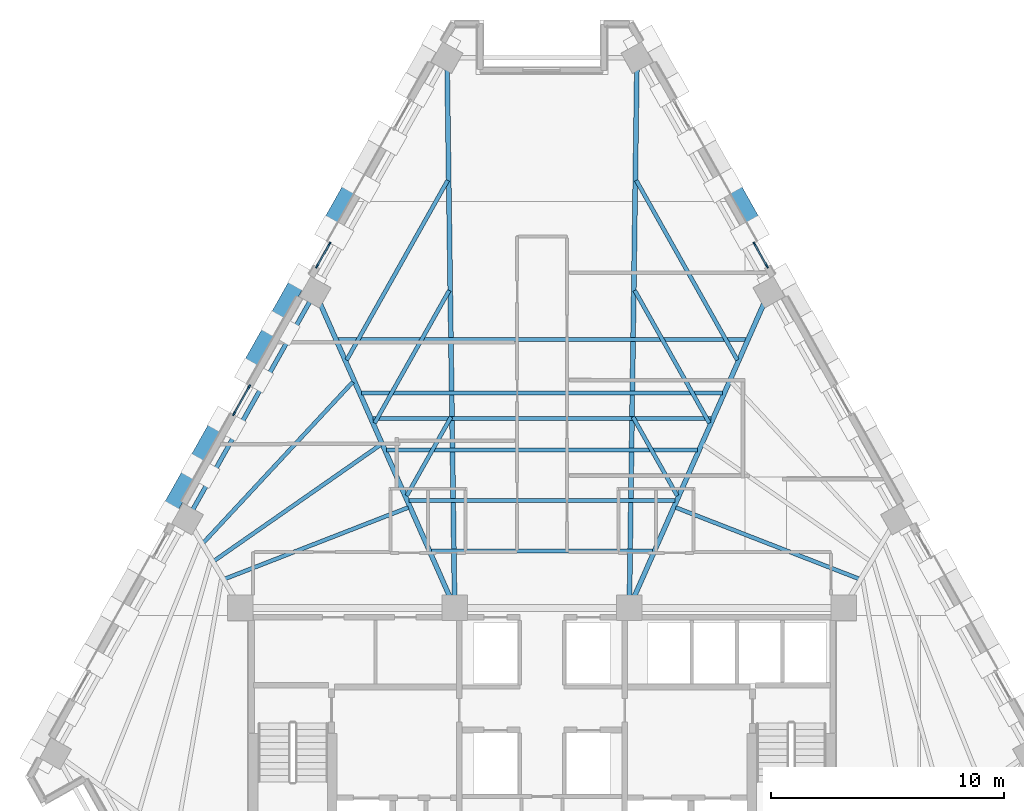
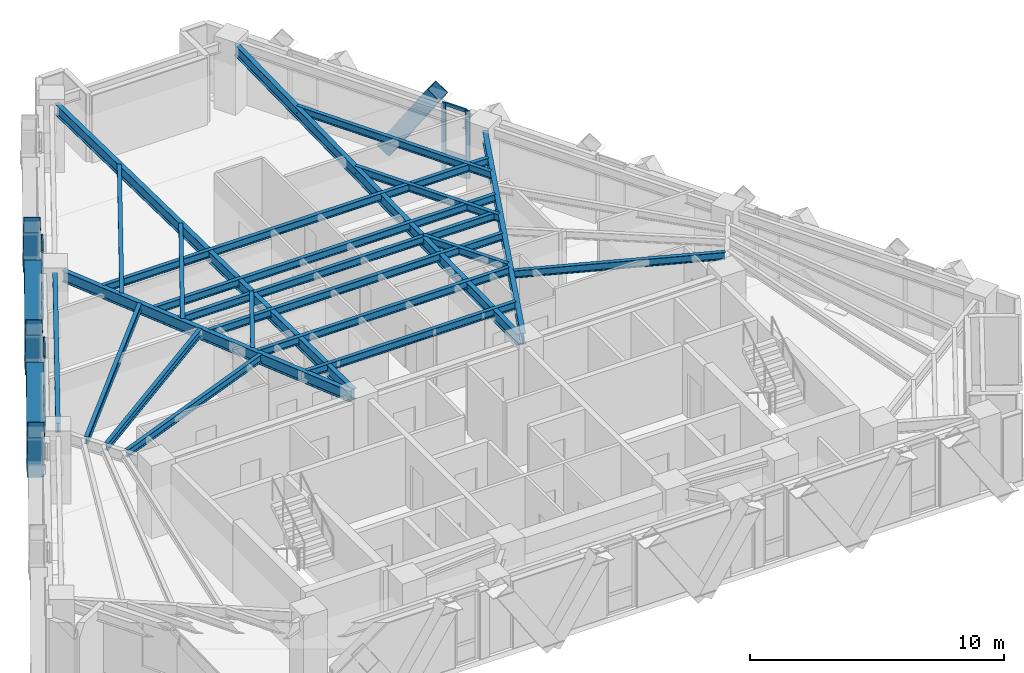
# One storey, part 3 of 14: 21 beams, 21 members, 3 elements without a shape of their own.
"""IFC4 building model written with IfcOpenShell, lengths in metres."""

from ifc_helpers import new_model, si_unit, direction, frame, origin, origin_2d, place, context, subcontext, project, spatial, rectangle, hollow_rectangle, i_section, extrude, material, material_profile, profile_set, type_object, element, aggregate, save


model = new_model("IFC4")

# Units and contexts
model_context = context("Model", 3, precision=1e-05, world=origin(), true_north=direction((0.0, 1.0)))
body_context = subcontext(model_context, "Body", "Model", "MODEL_VIEW")
ifc_project = project(units=[si_unit("LENGTHUNIT", "METRE"), si_unit("AREAUNIT", "SQUARE_METRE"), si_unit("VOLUMEUNIT", "CUBIC_METRE"), si_unit("PLANEANGLEUNIT", "RADIAN"), si_unit("MASSUNIT", "GRAM", prefix="KILO")], contexts=[model_context])

# Site, building, storey
site_placement = place(None, origin())
site = spatial("IfcSite", under=ifc_project, at=site_placement, CompositionType="ELEMENT")
building_placement = place(site_placement, origin())
building = spatial("IfcBuilding", under=site, at=building_placement, Name="Quenlor Broadcast Tower", CompositionType="ELEMENT")
storey_placement = place(building_placement, frame((0.0, 0.0, 140.5)))
storey = spatial("IfcBuildingStorey", under=building, at=storey_placement, Name="L38", CompositionType="ELEMENT", Elevation=140.5)

# Curtain wall, members
ifc_material_1 = material(Name="Architectural Terracotta and Low-E Glazing", Category="masonry")
curtain_wall_type = type_object("IfcCurtainWallType", Name="Unitised Terracotta Curtain Wall System Z3", PredefinedType="NOTDEFINED", material=ifc_material_1)
curtain_wall_1_placement = place(storey_placement, origin())
curtain_wall_1 = element("IfcCurtainWall", 1, at=curtain_wall_1_placement, inside=storey, type_object=curtain_wall_type, Name="L38 Curtain Wall CW3 (L38-NEA-G2)", PredefinedType="NOTDEFINED")
ifc_material_2 = material(Name="Aluminium 6063-T6", Category="aluminium")
ifc_material_profile_1 = material_profile(ifc_material_2, rectangle(XDim=0.070068359375, YDim=0.18994140625, at=origin_2d()))
ifc_profile_set_1 = profile_set([ifc_material_profile_1], Name="Aluminium 6063-T6 MULL70x190")
member_type_1 = type_object("IfcMemberType", Name="CW3 Aluminium Mullion MULL_CW3", PredefinedType="MULLION", material=ifc_profile_set_1)
member_1_placement = place(storey_placement, frame((9.1259765625, 10.8193359375, 0.0), z_axis=(0.0, 0.0, 1.0), x_axis=(0.871601010924, 0.490215950125, 0.0)))
member_1 = element("IfcMember", 2, at=member_1_placement, type_object=member_type_1, Name="CW3 mullion 1", PredefinedType="MULLION", context=body_context, shape_type="SweptSolid", body=[
    extrude(rectangle(XDim=0.070068359375, YDim=0.18994140625, at=origin_2d()), origin(), (0.0, 0.0, 1.0), 3.25),
])
member_2_placement = place(storey_placement, frame((9.656982421875, 9.875244140625, 0.0), z_axis=(0.0, 0.0, 1.0), x_axis=(0.871601010924, 0.490215950125, 0.0)))
member_2 = element("IfcMember", 3, at=member_2_placement, type_object=member_type_1, Name="CW3 mullion 2", PredefinedType="MULLION", context=body_context, shape_type="SweptSolid", body=[
    extrude(rectangle(XDim=0.070068359375, YDim=0.18994140625, at=origin_2d()), origin(), (0.0, 0.0, 1.0), 3.25),
])

curtain_wall_2_placement = place(storey_placement, origin())
curtain_wall_2 = element("IfcCurtainWall", 4, at=curtain_wall_2_placement, inside=storey, type_object=curtain_wall_type, Name="L38 Curtain Wall CW3 (L38-NWC-G1)", PredefinedType="NOTDEFINED")
member_3_placement = place(storey_placement, frame((-9.656982421875, 9.875244140625, 0.0), z_axis=(0.0, 0.0, 1.0), x_axis=(-0.871601010924, 0.490215950125, 0.0)))
member_3 = element("IfcMember", 5, at=member_3_placement, type_object=member_type_1, Name="CW3 mullion 1", PredefinedType="MULLION", context=body_context, shape_type="SweptSolid", body=[
    extrude(rectangle(XDim=0.070068359375, YDim=0.18994140625, at=origin_2d()), origin(), (0.0, 0.0, 1.0), 3.25),
])
member_4_placement = place(storey_placement, frame((-9.1259765625, 10.8193359375, 0.0), z_axis=(0.0, 0.0, 1.0), x_axis=(-0.871601010924, 0.490215950125, 0.0)))
member_4 = element("IfcMember", 6, at=member_4_placement, type_object=member_type_1, Name="CW3 mullion 2", PredefinedType="MULLION", context=body_context, shape_type="SweptSolid", body=[
    extrude(rectangle(XDim=0.070068359375, YDim=0.18994140625, at=origin_2d()), origin(), (0.0, 0.0, 1.0), 3.25),
])

curtain_wall_3_placement = place(storey_placement, origin())
curtain_wall_3 = element("IfcCurtainWall", 7, at=curtain_wall_3_placement, inside=storey, type_object=curtain_wall_type, Name="L38 Curtain Wall CW3 (L38-NW-G1)", PredefinedType="NOTDEFINED")
member_5_placement = place(storey_placement, frame((-13.220947265625, 3.5390625, 0.0), z_axis=(0.0, 0.0, 1.0), x_axis=(-0.871562085714, 0.490285152484, 0.0)))
member_5 = element("IfcMember", 8, at=member_5_placement, type_object=member_type_1, Name="CW3 mullion 1", PredefinedType="MULLION", context=body_context, shape_type="SweptSolid", body=[
    extrude(rectangle(XDim=0.070068359375, YDim=0.18994140625, at=origin_2d()), origin(), (0.0, 0.0, 1.0), 3.25),
])
member_6_placement = place(storey_placement, frame((-12.573974609375, 4.689208984375, 0.0), z_axis=(0.0, 0.0, 1.0), x_axis=(-0.871562085714, 0.490285152484, 0.0)))
member_6 = element("IfcMember", 9, at=member_6_placement, type_object=member_type_1, Name="CW3 mullion 2", PredefinedType="MULLION", context=body_context, shape_type="SweptSolid", body=[
    extrude(rectangle(XDim=0.070068359375, YDim=0.18994140625, at=origin_2d()), origin(), (0.0, 0.0, 1.0), 3.25),
])

# Member
ifc_material_3 = material(Name="Aluminium 6063-T6", Category="aluminium")
ifc_material_profile_2 = material_profile(ifc_material_3, rectangle(XDim=0.070068359375, YDim=0.155029296875, at=origin_2d()))
ifc_profile_set_2 = profile_set([ifc_material_profile_2], Name="Aluminium 6063-T6 TRAN70x155")
member_type_2 = type_object("IfcMemberType", Name="CW3 Aluminium Transom TRAN_CW3", PredefinedType="USERDEFINED", material=ifc_profile_set_2)
member_7_placement = place(storey_placement, frame((9.14306640625, 10.788818359375, 0.034912109375), z_axis=(0.490341317219, -0.871530488639, 0.0), x_axis=(0.871530488639, 0.490341317219, 0.0)))
member_7 = element("IfcMember", 10, at=member_7_placement, type_object=member_type_2, Name="CW3 transom 1.1", ObjectType="TRANSOM", PredefinedType="USERDEFINED", context=body_context, shape_type="SweptSolid", body=[
    extrude(rectangle(XDim=0.070068359375, YDim=0.155029296875, at=origin_2d()), origin(), (0.0, 0.0, 1.0), 1.01318359375),
])

member_8_placement = place(storey_placement, frame((9.14306640625, 10.788818359375, 0.949951171875), z_axis=(0.490341317219, -0.871530488639, 0.0), x_axis=(0.871530488639, 0.490341317219, 0.0)))
member_8 = element("IfcMember", 11, at=member_8_placement, type_object=member_type_2, Name="CW3 transom 1.2", ObjectType="TRANSOM", PredefinedType="USERDEFINED", context=body_context, shape_type="SweptSolid", body=[
    extrude(rectangle(XDim=0.070068359375, YDim=0.155029296875, at=origin_2d()), origin(), (0.0, 0.0, 1.0), 1.01318359375),
])

member_9_placement = place(storey_placement, frame((9.14306640625, 10.788818359375, 3.215087890625), z_axis=(0.490341317219, -0.871530488639, 0.0), x_axis=(0.871530488639, 0.490341317219, 0.0)))
member_9 = element("IfcMember", 12, at=member_9_placement, type_object=member_type_2, Name="CW3 transom 1.3", ObjectType="TRANSOM", PredefinedType="USERDEFINED", context=body_context, shape_type="SweptSolid", body=[
    extrude(rectangle(XDim=0.070068359375, YDim=0.155029296875, at=origin_2d()), origin(), (0.0, 0.0, 1.0), 1.01318359375),
])

aggregate(curtain_wall_1, [member_1, member_2, member_7, member_8, member_9])

member_10_placement = place(storey_placement, frame((-9.639892578125, 9.90576171875, 0.034912109375), z_axis=(0.490341317219, 0.871530488639, 0.0), x_axis=(-0.871530488639, 0.490341317219, 0.0)))
member_10 = element("IfcMember", 13, at=member_10_placement, type_object=member_type_2, Name="CW3 transom 1.1", ObjectType="TRANSOM", PredefinedType="USERDEFINED", context=body_context, shape_type="SweptSolid", body=[
    extrude(rectangle(XDim=0.070068359375, YDim=0.155029296875, at=origin_2d()), origin(), (0.0, 0.0, 1.0), 1.01318359375),
])

member_11_placement = place(storey_placement, frame((-9.639892578125, 9.90576171875, 0.949951171875), z_axis=(0.490341317219, 0.871530488639, 0.0), x_axis=(-0.871530488639, 0.490341317219, 0.0)))
member_11 = element("IfcMember", 14, at=member_11_placement, type_object=member_type_2, Name="CW3 transom 1.2", ObjectType="TRANSOM", PredefinedType="USERDEFINED", context=body_context, shape_type="SweptSolid", body=[
    extrude(rectangle(XDim=0.070068359375, YDim=0.155029296875, at=origin_2d()), origin(), (0.0, 0.0, 1.0), 1.01318359375),
])

member_12_placement = place(storey_placement, frame((-9.639892578125, 9.90576171875, 3.215087890625), z_axis=(0.490341317219, 0.871530488639, 0.0), x_axis=(-0.871530488639, 0.490341317219, 0.0)))
member_12 = element("IfcMember", 15, at=member_12_placement, type_object=member_type_2, Name="CW3 transom 1.3", ObjectType="TRANSOM", PredefinedType="USERDEFINED", context=body_context, shape_type="SweptSolid", body=[
    extrude(rectangle(XDim=0.070068359375, YDim=0.155029296875, at=origin_2d()), origin(), (0.0, 0.0, 1.0), 1.01318359375),
])

aggregate(curtain_wall_2, [member_3, member_4, member_10, member_11, member_12])

member_13_placement = place(storey_placement, frame((-13.203857421875, 3.569580078125, 0.034912109375), z_axis=(0.490363266059, 0.871518139398, 0.0), x_axis=(-0.871518139398, 0.490363266059, 0.0)))
member_13 = element("IfcMember", 16, at=member_13_placement, type_object=member_type_2, Name="CW3 transom 1.1", ObjectType="TRANSOM", PredefinedType="USERDEFINED", context=body_context, shape_type="SweptSolid", body=[
    extrude(rectangle(XDim=0.070068359375, YDim=0.155029296875, at=origin_2d()), origin(), (0.0, 0.0, 1.0), 1.249755859375),
])

member_14_placement = place(storey_placement, frame((-13.203857421875, 3.569580078125, 0.949951171875), z_axis=(0.490363266059, 0.871518139398, 0.0), x_axis=(-0.871518139398, 0.490363266059, 0.0)))
member_14 = element("IfcMember", 17, at=member_14_placement, type_object=member_type_2, Name="CW3 transom 1.2", ObjectType="TRANSOM", PredefinedType="USERDEFINED", context=body_context, shape_type="SweptSolid", body=[
    extrude(rectangle(XDim=0.070068359375, YDim=0.155029296875, at=origin_2d()), origin(), (0.0, 0.0, 1.0), 1.249755859375),
])

member_15_placement = place(storey_placement, frame((-13.203857421875, 3.569580078125, 3.215087890625), z_axis=(0.490363266059, 0.871518139398, 0.0), x_axis=(-0.871518139398, 0.490363266059, 0.0)))
member_15 = element("IfcMember", 18, at=member_15_placement, type_object=member_type_2, Name="CW3 transom 1.3", ObjectType="TRANSOM", PredefinedType="USERDEFINED", context=body_context, shape_type="SweptSolid", body=[
    extrude(rectangle(XDim=0.070068359375, YDim=0.155029296875, at=origin_2d()), origin(), (0.0, 0.0, 1.0), 1.249755859375),
])

aggregate(curtain_wall_3, [member_5, member_6, member_13, member_14, member_15])

# Members
ifc_material_4 = material(Name="Steel S355", Category="steel")
ifc_material_profile_3 = material_profile(ifc_material_4, hollow_rectangle(XDim=0.679931640625, YDim=0.679931640625, WallThickness=0.02490234375, at=origin_2d()))
ifc_profile_set_3 = profile_set([ifc_material_profile_3], Name="Steel S355 RHS680x680x25")
member_type_3 = type_object("IfcMemberType", Name="Perimeter Diagonal Lattice Brace Z3-Z4 Steel S355 RHS680x25", PredefinedType="BRACE", material=ifc_profile_set_3)
for number, where, z_axis, x_axis, name in (
    (19, (8.076416015625, 13.490478515625, -0.1201171875), (0.27060310517, -0.481001091283, 0.833913610428), (0.871544572467, 0.490316283845, 0.0), "L38 Perimeter Diamond Lattice NE-C2S"),
    (20, (-14.97265625, 1.230712890625, -0.1201171875), (-0.27060310517, -0.481001091283, 0.833913610428), (0.871544572467, -0.490316283845, 0.0), "L38 Perimeter Diamond Lattice NW-C2B"),
    (21, (-14.958984375, 1.255126953125, -0.1201171875), (0.2705491942, 0.481008661973, 0.833926735766), (-0.871589611547, 0.490236217596, 0.0), "L38 Perimeter Diamond Lattice NW-C3S"),
    (22, (-11.524658203125, 7.360595703125, -0.1201171875), (-0.2705491942, -0.481008661973, 0.833926735766), (0.871589611547, -0.490236217596, 0.0), "L38 Perimeter Diamond Lattice NW-C3B"),
    (23, (-11.5107421875, 7.385009765625, -0.1201171875), (0.2705491942, 0.481008661973, 0.833926735766), (-0.871589611547, 0.490236217596, 0.0), "L38 Perimeter Diamond Lattice NW-C4S"),
    (24, (-8.076416015625, 13.490478515625, -0.1201171875), (-0.27060310517, -0.481001091283, 0.833913610428), (0.871544572467, -0.490316283845, 0.0), "L38 Perimeter Diamond Lattice NW-C4B"),
):
    element("IfcMember", number, at=place(storey_placement, frame(where, z_axis=z_axis, x_axis=x_axis)), inside=storey, type_object=member_type_3, Name=name, PredefinedType="BRACE", context=body_context, shape_type="SweptSolid", body=[
        extrude(hollow_rectangle(XDim=0.679931640625, YDim=0.679931640625, WallThickness=0.02490234375, at=origin_2d()), origin(), (0.0, 0.0, 1.0), 4.197021484375),
    ])

# Beams
ifc_material_5 = material(Name="Steel S355", Category="steel")
ifc_material_profile_4 = material_profile(ifc_material_5, i_section(OverallWidth=0.19091796875, OverallDepth=0.46044921875, WebThickness=0.010009765625, FlangeThickness=0.01611328125, FilletRadius=0.011474609375, at=origin_2d()))
ifc_profile_set_4 = profile_set([ifc_material_profile_4], Name="Steel S355 460UB82.1")
beam_type_1 = type_object("IfcBeamType", Name="Perimeter Spandrel Beam Z3 Steel S355 460UB82.1", PredefinedType="SPANDREL", material=ifc_profile_set_4)
beam_1_placement = place(storey_placement, frame((-9.944091796875, 8.39599609375, 3.019775390625), z_axis=(-0.490252288562, -0.871580572041, 0.0), x_axis=(0.871580572041, -0.490252288562, 0.0)))
element("IfcBeam", 25, at=beam_1_placement, inside=storey, type_object=beam_type_1, Name="L38 Spandrel Beam NW2-NW3", PredefinedType="SPANDREL", context=body_context, shape_type="SweptSolid", body=[
    extrude(i_section(OverallWidth=0.19091796875, OverallDepth=0.46044921875, WebThickness=0.010009765625, FlangeThickness=0.01611328125, FilletRadius=0.011474609375, at=origin_2d()), origin(), (0.0, 0.0, 1.0), 10.359619140625),
])
ifc_material_6 = material(Name="Steel S355", Category="steel")
ifc_material_profile_5 = material_profile(ifc_material_6, i_section(OverallWidth=0.172119140625, OverallDepth=0.358642578125, WebThickness=0.008056640625, FlangeThickness=0.012939453125, FilletRadius=0.011474609375, at=origin_2d()))
ifc_profile_set_5 = profile_set([ifc_material_profile_5], Name="Steel S355 360UB56.7")
beam_type_2 = type_object("IfcBeamType", Name="Tower Composite Joist Z2-Z3 Steel S355 360UB56.7", PredefinedType="JOIST", material=ifc_profile_set_5)
beam_2_placement = place(storey_placement, frame((-4.748779296875, -2.3603515625, 3.07080078125), z_axis=(1.0, 0.0, 0.0), x_axis=(0.0, 1.0, 0.0)))
element("IfcBeam", 26, at=beam_2_placement, inside=storey, type_object=beam_type_2, Name="L38 Secondary Composite Joist 1", PredefinedType="JOIST", context=body_context, shape_type="SweptSolid", body=[
    extrude(i_section(OverallWidth=0.172119140625, OverallDepth=0.358642578125, WebThickness=0.008056640625, FlangeThickness=0.012939453125, FilletRadius=0.011474609375, at=origin_2d()), origin(), (0.0, 0.0, 1.0), 9.49755859375),
])
beam_3_placement = place(storey_placement, frame((-7.265869140625, 3.33203125, 3.07080078125), z_axis=(1.0, 0.0, 0.0), x_axis=(0.0, 1.0, 0.0)))
element("IfcBeam", 27, at=beam_3_placement, inside=storey, type_object=beam_type_2, Name="L38 Secondary Composite Joist 2", PredefinedType="JOIST", context=body_context, shape_type="SweptSolid", body=[
    extrude(i_section(OverallWidth=0.172119140625, OverallDepth=0.358642578125, WebThickness=0.008056640625, FlangeThickness=0.012939453125, FilletRadius=0.011474609375, at=origin_2d()), origin(), (0.0, 0.0, 1.0), 14.53173828125),
])
beam_4_placement = place(storey_placement, frame((-5.70751953125, -0.19189453125, 3.07080078125), z_axis=(1.0, 0.0, 0.0), x_axis=(0.0, 1.0, 0.0)))
element("IfcBeam", 28, at=beam_4_placement, inside=storey, type_object=beam_type_2, Name="L38 Secondary Composite Joist 3", PredefinedType="JOIST", context=body_context, shape_type="SweptSolid", body=[
    extrude(i_section(OverallWidth=0.172119140625, OverallDepth=0.358642578125, WebThickness=0.008056640625, FlangeThickness=0.012939453125, FilletRadius=0.011474609375, at=origin_2d()), origin(), (0.0, 0.0, 1.0), 11.4150390625),
])
beam_5_placement = place(storey_placement, frame((-6.66650390625, 1.976806640625, 3.07080078125), z_axis=(1.0, 0.0, 0.0), x_axis=(0.0, 1.0, 0.0)))
element("IfcBeam", 29, at=beam_5_placement, inside=storey, type_object=beam_type_2, Name="L38 Secondary Composite Joist 4", PredefinedType="JOIST", context=body_context, shape_type="SweptSolid", body=[
    extrude(i_section(OverallWidth=0.172119140625, OverallDepth=0.358642578125, WebThickness=0.008056640625, FlangeThickness=0.012939453125, FilletRadius=0.011474609375, at=origin_2d()), origin(), (0.0, 0.0, 1.0), 13.3330078125),
])
beam_6_placement = place(storey_placement, frame((-7.7451171875, 4.416259765625, 3.07080078125), z_axis=(1.0, 0.0, 0.0), x_axis=(0.0, 1.0, 0.0)))
element("IfcBeam", 30, at=beam_6_placement, inside=storey, type_object=beam_type_2, Name="L38 Secondary Composite Joist 5", PredefinedType="JOIST", context=body_context, shape_type="SweptSolid", body=[
    extrude(i_section(OverallWidth=0.172119140625, OverallDepth=0.358642578125, WebThickness=0.008056640625, FlangeThickness=0.012939453125, FilletRadius=0.011474609375, at=origin_2d()), origin(), (0.0, 0.0, 1.0), 15.490234375),
])
beam_7_placement = place(storey_placement, frame((-8.763916015625, 6.72021484375, 3.07080078125), z_axis=(1.0, 0.0, 0.0), x_axis=(0.0, 1.0, 0.0)))
element("IfcBeam", 31, at=beam_7_placement, inside=storey, type_object=beam_type_2, Name="L38 Secondary Composite Joist 6", PredefinedType="JOIST", context=body_context, shape_type="SweptSolid", body=[
    extrude(i_section(OverallWidth=0.172119140625, OverallDepth=0.358642578125, WebThickness=0.008056640625, FlangeThickness=0.012939453125, FilletRadius=0.011474609375, at=origin_2d()), origin(), (0.0, 0.0, 1.0), 17.52783203125),
])
beam_8_placement = place(storey_placement, frame((-13.60302734375, -3.552001953125, 3.07080078125), z_axis=(0.931881865797, 0.362761889121, 0.0), x_axis=(-0.362761889121, 0.931881865797, 0.0)))
element("IfcBeam", 32, at=beam_8_placement, inside=storey, type_object=beam_type_2, Name="L38 Secondary Composite Joist 7", PredefinedType="JOIST", context=body_context, shape_type="SweptSolid", body=[
    extrude(i_section(OverallWidth=0.172119140625, OverallDepth=0.358642578125, WebThickness=0.008056640625, FlangeThickness=0.012939453125, FilletRadius=0.011474609375, at=origin_2d()), origin(), (0.0, 0.0, 1.0), 8.435546875),
])
beam_9_placement = place(storey_placement, frame((-14.06689453125, -2.7734375, 3.07080078125), z_axis=(0.82026568394, 0.57198269882, 0.0), x_axis=(-0.57198269882, 0.82026568394, 0.0)))
element("IfcBeam", 33, at=beam_9_placement, inside=storey, type_object=beam_type_2, Name="L38 Secondary Composite Joist 8", PredefinedType="JOIST", context=body_context, shape_type="SweptSolid", body=[
    extrude(i_section(OverallWidth=0.172119140625, OverallDepth=0.358642578125, WebThickness=0.008056640625, FlangeThickness=0.012939453125, FilletRadius=0.011474609375, at=origin_2d()), origin(), (0.0, 0.0, 1.0), 8.698486328125),
])
beam_10_placement = place(storey_placement, frame((-14.53271484375, -1.998779296875, 3.07080078125), z_axis=(0.680873505991, 0.732401030065, 0.0), x_axis=(-0.732401030065, 0.680873505991, 0.0)))
element("IfcBeam", 34, at=beam_10_placement, inside=storey, type_object=beam_type_2, Name="L38 Secondary Composite Joist 9", PredefinedType="JOIST", context=body_context, shape_type="SweptSolid", body=[
    extrude(i_section(OverallWidth=0.172119140625, OverallDepth=0.358642578125, WebThickness=0.008056640625, FlangeThickness=0.012939453125, FilletRadius=0.011474609375, at=origin_2d()), origin(), (0.0, 0.0, 1.0), 9.419189453125),
])
beam_11_placement = place(storey_placement, frame((13.60302734375, -3.552001953125, 3.07080078125), z_axis=(-0.931881865797, 0.362761889121, 0.0), x_axis=(-0.362761889121, -0.931881865797, 0.0)))
element("IfcBeam", 35, at=beam_11_placement, inside=storey, type_object=beam_type_2, Name="L38 Secondary Composite Joist 10", PredefinedType="JOIST", context=body_context, shape_type="SweptSolid", body=[
    extrude(i_section(OverallWidth=0.172119140625, OverallDepth=0.358642578125, WebThickness=0.008056640625, FlangeThickness=0.012939453125, FilletRadius=0.011474609375, at=origin_2d()), origin(), (0.0, 0.0, 1.0), 8.435546875),
])
beam_12_placement = place(storey_placement, frame((-3.904541015625, 3.39794921875, 3.07080078125), z_axis=(-0.49026422458, -0.871573858085, 0.0), x_axis=(0.871573858085, -0.49026422458, 0.0)))
element("IfcBeam", 36, at=beam_12_placement, inside=storey, type_object=beam_type_2, Name="L38 Secondary Composite Joist 25", PredefinedType="JOIST", context=body_context, shape_type="SweptSolid", body=[
    extrude(i_section(OverallWidth=0.172119140625, OverallDepth=0.358642578125, WebThickness=0.008056640625, FlangeThickness=0.012939453125, FilletRadius=0.011474609375, at=origin_2d()), origin(), (0.0, 0.0, 1.0), 3.88330078125),
])
beam_13_placement = place(storey_placement, frame((-3.980224609375, 8.8310546875, 3.07080078125), z_axis=(-0.490266556378, -0.871572546434, 0.0), x_axis=(0.871572546434, -0.490266556378, 0.0)))
element("IfcBeam", 37, at=beam_13_placement, inside=storey, type_object=beam_type_2, Name="L38 Secondary Composite Joist 26", PredefinedType="JOIST", context=body_context, shape_type="SweptSolid", body=[
    extrude(i_section(OverallWidth=0.172119140625, OverallDepth=0.358642578125, WebThickness=0.008056640625, FlangeThickness=0.012939453125, FilletRadius=0.011474609375, at=origin_2d()), origin(), (0.0, 0.0, 1.0), 6.54052734375),
])
beam_14_placement = place(storey_placement, frame((-4.046142578125, 13.555419921875, 3.07080078125), z_axis=(-0.490254691431, -0.871579220455, 0.0), x_axis=(0.871579220455, -0.490254691431, 0.0)))
element("IfcBeam", 38, at=beam_14_placement, inside=storey, type_object=beam_type_2, Name="L38 Secondary Composite Joist 27", PredefinedType="JOIST", context=body_context, shape_type="SweptSolid", body=[
    extrude(i_section(OverallWidth=0.172119140625, OverallDepth=0.358642578125, WebThickness=0.008056640625, FlangeThickness=0.012939453125, FilletRadius=0.011474609375, at=origin_2d()), origin(), (0.0, 0.0, 1.0), 8.850830078125),
])
beam_15_placement = place(storey_placement, frame((3.904541015625, 3.39794921875, 3.07080078125), z_axis=(0.49026422458, -0.871573858085, 0.0), x_axis=(0.871573858085, 0.49026422458, 0.0)))
element("IfcBeam", 39, at=beam_15_placement, inside=storey, type_object=beam_type_2, Name="L38 Secondary Composite Joist 28", PredefinedType="JOIST", context=body_context, shape_type="SweptSolid", body=[
    extrude(i_section(OverallWidth=0.172119140625, OverallDepth=0.358642578125, WebThickness=0.008056640625, FlangeThickness=0.012939453125, FilletRadius=0.011474609375, at=origin_2d()), origin(), (0.0, 0.0, 1.0), 3.88330078125),
])
beam_16_placement = place(storey_placement, frame((3.980224609375, 8.8310546875, 3.07080078125), z_axis=(0.490266556378, -0.871572546434, 0.0), x_axis=(0.871572546434, 0.490266556378, 0.0)))
element("IfcBeam", 40, at=beam_16_placement, inside=storey, type_object=beam_type_2, Name="L38 Secondary Composite Joist 29", PredefinedType="JOIST", context=body_context, shape_type="SweptSolid", body=[
    extrude(i_section(OverallWidth=0.172119140625, OverallDepth=0.358642578125, WebThickness=0.008056640625, FlangeThickness=0.012939453125, FilletRadius=0.011474609375, at=origin_2d()), origin(), (0.0, 0.0, 1.0), 6.54052734375),
])
beam_17_placement = place(storey_placement, frame((4.046142578125, 13.555419921875, 3.07080078125), z_axis=(0.490254691431, -0.871579220455, 0.0), x_axis=(0.871579220455, 0.490254691431, 0.0)))
element("IfcBeam", 41, at=beam_17_placement, inside=storey, type_object=beam_type_2, Name="L38 Secondary Composite Joist 30", PredefinedType="JOIST", context=body_context, shape_type="SweptSolid", body=[
    extrude(i_section(OverallWidth=0.172119140625, OverallDepth=0.358642578125, WebThickness=0.008056640625, FlangeThickness=0.012939453125, FilletRadius=0.011474609375, at=origin_2d()), origin(), (0.0, 0.0, 1.0), 8.850830078125),
])
ifc_material_7 = material(Name="Steel S355", Category="steel")
ifc_material_profile_6 = material_profile(ifc_material_7, i_section(OverallWidth=0.208984375, OverallDepth=0.532958984375, WebThickness=0.01025390625, FlangeThickness=0.015625, FilletRadius=0.013916015625, at=origin_2d()))
ifc_profile_set_6 = profile_set([ifc_material_profile_6], Name="Steel S355 530UB92.4")
beam_type_3 = type_object("IfcBeamType", Name="Tower Primary Floor Beam Z3 Steel S355 530UB92.4", PredefinedType="BEAM", material=ifc_profile_set_6)
beam_18_placement = place(storey_placement, frame((9.5771484375, 8.37841796875, 2.9833984375), z_axis=(-0.404397129794, -0.914583490675, 0.0), x_axis=(0.914583490675, -0.404397129794, 0.0)))
element("IfcBeam", 42, at=beam_18_placement, inside=storey, type_object=beam_type_3, Name="L38 Primary Radial Beam NE3", PredefinedType="BEAM", context=body_context, shape_type="SweptSolid", body=[
    extrude(i_section(OverallWidth=0.208984375, OverallDepth=0.532958984375, WebThickness=0.01025390625, FlangeThickness=0.015625, FilletRadius=0.013916015625, at=origin_2d()), origin(), (0.0, 0.0, 1.0), 14.029052734375),
])
for number, where, z_axis, x_axis, name in (
    (43, (4.073486328125, 18.412109375, 2.9833984375), (-0.013931496433, -0.999902951994, 0.0), (0.999902951994, -0.013931496433, 0.0), "L38 Primary Radial Beam NE4"),
    (44, (-4.073486328125, 18.412109375, 2.9833984375), (0.013931496433, -0.999902951994, 0.0), (0.999902951994, 0.013931496433, 0.0), "L38 Primary Radial Beam NW1"),
):
    element("IfcBeam", number, at=place(storey_placement, frame(where, z_axis=z_axis, x_axis=x_axis)), inside=storey, type_object=beam_type_3, Name=name, PredefinedType="BEAM", context=body_context, shape_type="SweptSolid", body=[
        extrude(i_section(OverallWidth=0.208984375, OverallDepth=0.532958984375, WebThickness=0.01025390625, FlangeThickness=0.015625, FilletRadius=0.013916015625, at=origin_2d()), origin(), (0.0, 0.0, 1.0), 22.834228515625),
    ])
beam_19_placement = place(storey_placement, frame((-9.5771484375, 8.37841796875, 2.9833984375), z_axis=(0.404397129794, -0.914583490675, 0.0), x_axis=(0.914583490675, 0.404397129794, 0.0)))
element("IfcBeam", 45, at=beam_19_placement, inside=storey, type_object=beam_type_3, Name="L38 Primary Radial Beam NW2", PredefinedType="BEAM", context=body_context, shape_type="SweptSolid", body=[
    extrude(i_section(OverallWidth=0.208984375, OverallDepth=0.532958984375, WebThickness=0.01025390625, FlangeThickness=0.015625, FilletRadius=0.013916015625, at=origin_2d()), origin(), (0.0, 0.0, 1.0), 14.029052734375),
])

save(model, "model.ifc")
